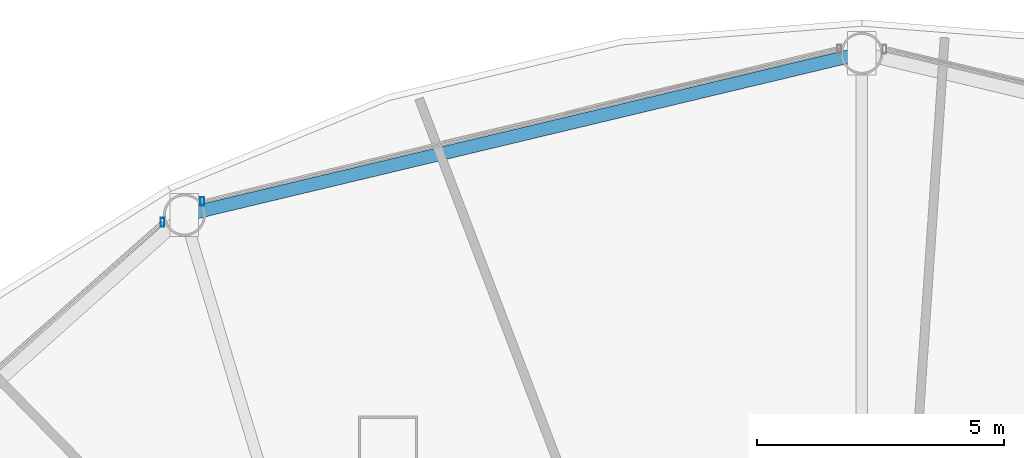
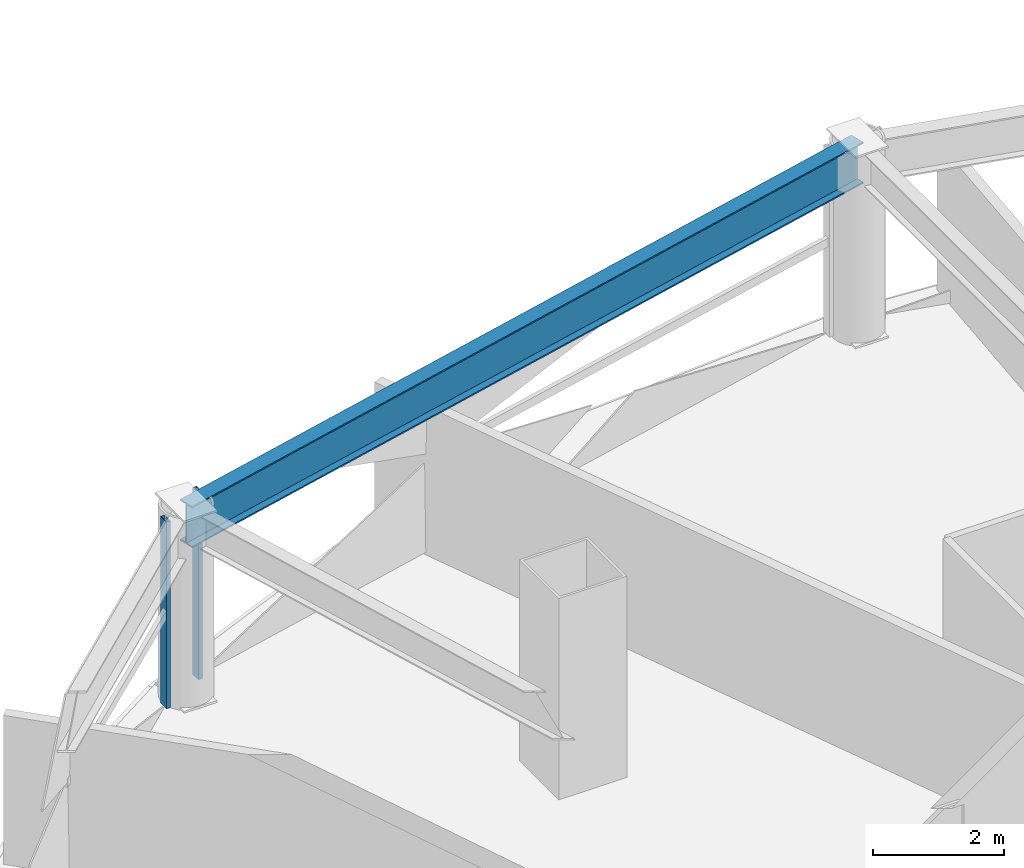
# One storey, part 15 of 29: 2 members, 1 beam, 2 elements without a shape of their own.
"""IFC4 building model written with IfcOpenShell, lengths in metres."""

from ifc_helpers import new_model, si_unit, direction, frame, origin, origin_2d, place, context, subcontext, project, spatial, hollow_rectangle, i_section, extrude, material, layer, layer_set, material_profile, profile_set, type_object, element, aggregate, save


model = new_model("IFC4")

# Units and contexts
model_context = context("Model", 3, precision=1e-05, world=origin(), true_north=direction((0.0, 1.0)))
body_context = subcontext(model_context, "Body", "Model", "MODEL_VIEW")
ifc_project = project(units=[si_unit("LENGTHUNIT", "METRE"), si_unit("AREAUNIT", "SQUARE_METRE"), si_unit("VOLUMEUNIT", "CUBIC_METRE"), si_unit("PLANEANGLEUNIT", "RADIAN"), si_unit("MASSUNIT", "GRAM", prefix="KILO")], contexts=[model_context])

# Site, building, storey
site_placement = place(None, origin())
site = spatial("IfcSite", under=ifc_project, at=site_placement, CompositionType="ELEMENT")
building_placement = place(site_placement, origin())
building = spatial("IfcBuilding", under=site, at=building_placement, Name="Vantalir Tower", CompositionType="ELEMENT")
storey_placement = place(building_placement, frame((0.0, 0.0, 60.75)))
storey = spatial("IfcBuildingStorey", under=building, at=storey_placement, Name="L14", CompositionType="ELEMENT", Elevation=60.75)

# Beam
ifc_material_1 = material(Name="Steel S460", Category="steel")
ifc_material_profile_1 = material_profile(ifc_material_1, i_section(OverallWidth=0.26806640625, OverallDepth=0.77001953125, WebThickness=0.015625, FlangeThickness=0.025390625, at=origin_2d()), Name="Steel S460")
ifc_profile_set_1 = profile_set([ifc_material_profile_1], Name="Steel S460")
beam_type = type_object("IfcBeamType", Name="BM-RG-762x267", PredefinedType="USERDEFINED", material=ifc_profile_set_1)
beam_placement = place(storey_placement, frame((31.5, 49.450927734375, 3.18505859375), z_axis=(-0.972678344586, -0.23215692532, 0.0), x_axis=(0.23215692532, -0.972678344586, 0.0)))
element("IfcBeam", 1, at=beam_placement, inside=storey, type_object=beam_type, Name="L14 Circumferential Ring Girder 04", ObjectType="GIRDER", PredefinedType="USERDEFINED", context=body_context, shape_type="SweptSolid", body=[
    extrude(i_section(OverallWidth=0.26806640625, OverallDepth=0.77001953125, WebThickness=0.015625, FlangeThickness=0.025390625, at=origin_2d()), origin(), (0.0, 0.0, 1.0), 14.110595703125),
])

# Curtain wall, member
ifc_material_2 = material(Name="Champagne-silver PVDF aluminium and double-silver Low-E glass", Category="aluminium")
ifc_layer = layer(ifc_material_2, 0.18994140625)
ifc_layer_set = layer_set([ifc_layer], Name="Champagne-silver PVDF aluminium and double-silver Low-E glass")
curtain_wall_type = type_object("IfcCurtainWallType", Name="CW-DIAMOND-Z1", PredefinedType="USERDEFINED", material=ifc_layer_set)
curtain_wall_1_placement = place(storey_placement, origin())
curtain_wall_1 = element("IfcCurtainWall", 2, at=curtain_wall_1_placement, inside=storey, type_object=curtain_wall_type, Name="L14 Quilted Pyramid-Diamond Curtain Wall S04", ObjectType="UNITISED CURTAIN WALL", PredefinedType="USERDEFINED")
ifc_material_3 = material(Name="Champagne-silver PVDF aluminium 6063-T6", Category="aluminium")
ifc_material_profile_2 = material_profile(ifc_material_3, hollow_rectangle(XDim=0.074951171875, YDim=0.179931640625, WallThickness=0.00390625, at=origin_2d()), Name="Champagne-silver PVDF aluminium 6063-T6")
ifc_profile_set_2 = profile_set([ifc_material_profile_2], Name="Champagne-silver PVDF aluminium 6063-T6")
member_type = type_object("IfcMemberType", Name="CWM-180x75", PredefinedType="MULLION", material=ifc_profile_set_2)
member_1_placement = place(storey_placement, frame((18.136962890625, 46.448974609375, 0.044921875), z_axis=(0.0, 0.0, 1.0), x_axis=(1.0, 0.0, 0.0)))
member_1 = element("IfcMember", 3, at=member_1_placement, type_object=member_type, Name="CW-L14-S04 Mullion 2", PredefinedType="MULLION", context=body_context, shape_type="SweptSolid", body=[
    extrude(hollow_rectangle(XDim=0.074951171875, YDim=0.179931640625, WallThickness=0.00390625, at=origin_2d()), origin(), (0.0, 0.0, 1.0), 3.47998046875),
])
aggregate(curtain_wall_1, [member_1])

curtain_wall_2_placement = place(storey_placement, origin())
curtain_wall_2 = element("IfcCurtainWall", 4, at=curtain_wall_2_placement, inside=storey, type_object=curtain_wall_type, Name="L14 Quilted Pyramid-Diamond Curtain Wall S05", ObjectType="UNITISED CURTAIN WALL", PredefinedType="USERDEFINED")
member_2_placement = place(storey_placement, frame((17.3291015625, 46.027099609375, 0.044921875), z_axis=(0.0, 0.0, 1.0), x_axis=(1.0, 0.0, 0.0)))
member_2 = element("IfcMember", 5, at=member_2_placement, type_object=member_type, Name="CW-L14-S05 Mullion 1", PredefinedType="MULLION", context=body_context, shape_type="SweptSolid", body=[
    extrude(hollow_rectangle(XDim=0.074951171875, YDim=0.179931640625, WallThickness=0.00390625, at=origin_2d()), origin(), (0.0, 0.0, 1.0), 3.47998046875),
])
aggregate(curtain_wall_2, [member_2])

save(model, "model.ifc")
